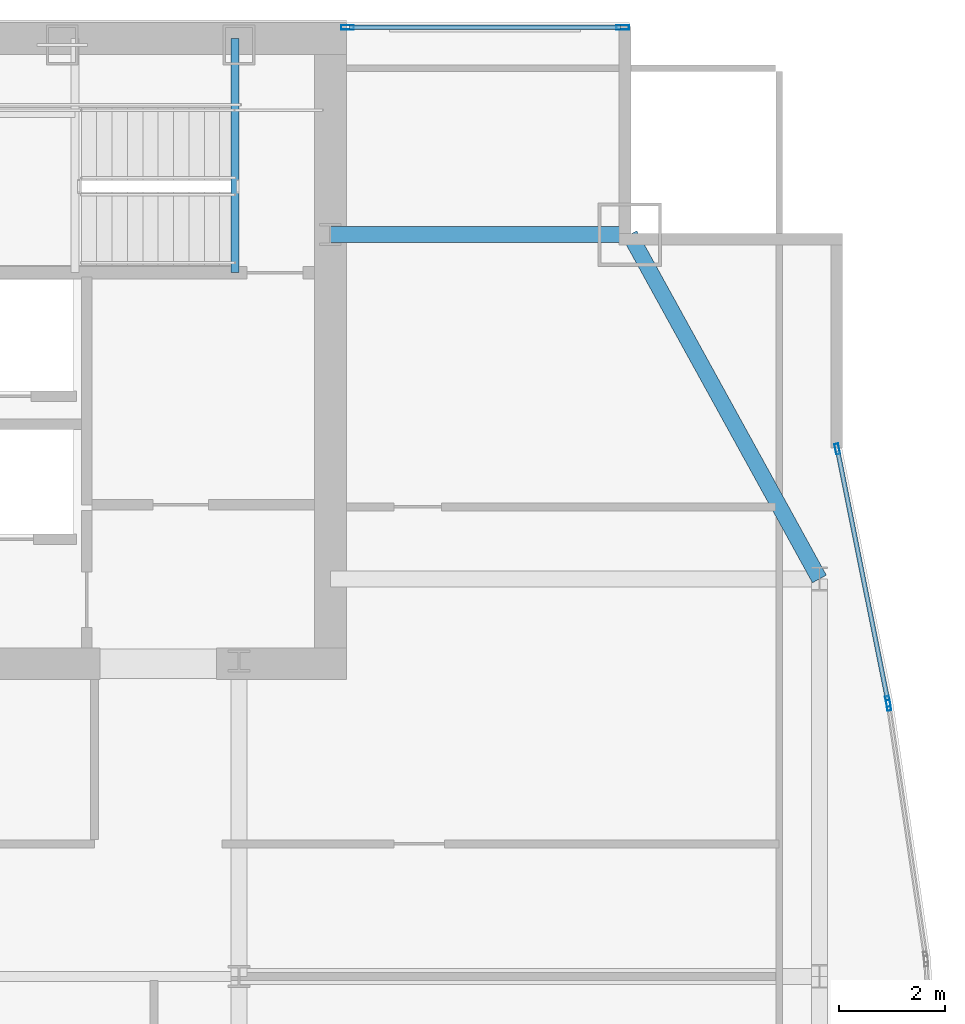
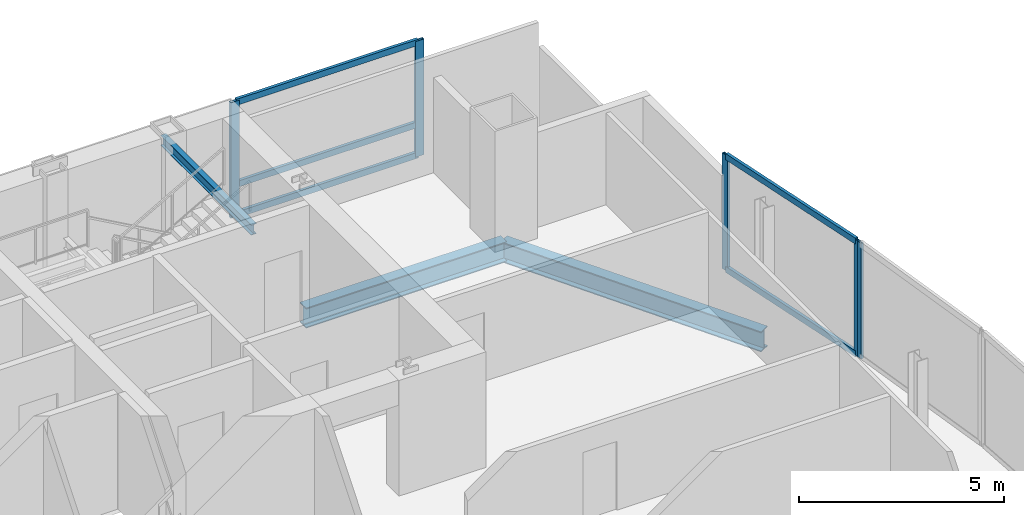
# One storey, part 23 of 30: 10 members, 3 beams, 3 elements without a shape of their own.
"""IFC4 building model written with IfcOpenShell, lengths in metres."""

from ifc_helpers import new_model, si_unit, direction, frame, origin, origin_2d, place, context, subcontext, project, spatial, hollow_rectangle, i_section, extrude, material, material_profile, profile_set, type_object, element, aggregate, save


model = new_model("IFC4")

# Units and contexts
model_context = context("Model", 3, precision=1e-05, world=origin(), true_north=direction((0.0, 1.0)))
body_context = subcontext(model_context, "Body", "Model", "MODEL_VIEW")
ifc_project = project(units=[si_unit("LENGTHUNIT", "METRE"), si_unit("AREAUNIT", "SQUARE_METRE"), si_unit("VOLUMEUNIT", "CUBIC_METRE"), si_unit("PLANEANGLEUNIT", "RADIAN"), si_unit("MASSUNIT", "GRAM", prefix="KILO")], contexts=[model_context])

# Site, building, storey
site_placement = place(None, origin())
site = spatial("IfcSite", under=ifc_project, at=site_placement, CompositionType="ELEMENT")
building_placement = place(site_placement, origin())
building = spatial("IfcBuilding", under=site, at=building_placement, Name="Khoronbel Lancet Exchange", CompositionType="ELEMENT")
storey_placement = place(building_placement, frame((0.0, 0.0, 206.60009765625)))
storey = spatial("IfcBuildingStorey", under=building, at=storey_placement, Name="L52", CompositionType="ELEMENT", Elevation=206.60009765625)

# Beams
ifc_material_1 = material(Name="Steel S355", Category="steel")
ifc_material_profile_1 = material_profile(ifc_material_1, i_section(OverallWidth=0.14990234375, OverallDepth=0.300048828125, WebThickness=0.007080078125, FlangeThickness=0.0107421875, at=origin_2d()), Name="IPE 300")
ifc_profile_set_1 = profile_set([ifc_material_profile_1], Name="Steel S355")
beam_type_1 = type_object("IfcBeamType", Name="BM-BJ8", PredefinedType="JOIST", material=ifc_profile_set_1)
beam_1_placement = place(storey_placement, frame((54.60009765625, 48.97998046875, 3.159912109375), z_axis=(0.0, 1.0, 0.0), x_axis=(-1.0, 0.0, 0.0)))
element("IfcBeam", 1, at=beam_1_placement, inside=storey, type_object=beam_type_1, Name="Level L52 stair ST2 upper-flight arrival trimmer beam", PredefinedType="JOIST", context=body_context, shape_type="SweptSolid", body=[
    extrude(i_section(OverallWidth=0.14990234375, OverallDepth=0.300048828125, WebThickness=0.007080078125, FlangeThickness=0.0107421875, at=origin_2d()), origin(), (0.0, 0.0, 1.0), 4.419921875),
])
ifc_material_profile_2 = material_profile(ifc_material_1, i_section(OverallWidth=0.300048828125, OverallDepth=0.60009765625, WebThickness=0.015380859375, FlangeThickness=0.030029296875, at=origin_2d()), Name="HEB 600")
ifc_profile_set_2 = profile_set([ifc_material_profile_2], Name="Steel S355")
beam_type_2 = type_object("IfcBeamType", Name="BM-BSP2", PredefinedType="SPANDREL", material=ifc_profile_set_2)
beam_2_placement = place(storey_placement, frame((65.6298828125, 43.199951171875, -0.460205078125), z_axis=(-0.482418808117, 0.875940690672, 0.0), x_axis=(-0.875940690672, -0.482418808117, 0.0)))
element("IfcBeam", 2, at=beam_2_placement, inside=storey, type_object=beam_type_2, Name="Level L52 perimeter spandrel beam SP15", PredefinedType="SPANDREL", context=body_context, shape_type="SweptSolid", body=[
    extrude(i_section(OverallWidth=0.300048828125, OverallDepth=0.60009765625, WebThickness=0.015380859375, FlangeThickness=0.030029296875, at=origin_2d()), origin(), (0.0, 0.0, 1.0), 7.420654296875),
])
beam_3_placement = place(storey_placement, frame((62.050048828125, 49.699951171875, -0.460205078125), z_axis=(-1.0, 0.0, 0.0), x_axis=(0.0, -1.0, 0.0)))
element("IfcBeam", 3, at=beam_3_placement, inside=storey, type_object=beam_type_2, Name="Level L52 north flank tie spandrel SP23", PredefinedType="SPANDREL", context=body_context, shape_type="SweptSolid", body=[
    extrude(i_section(OverallWidth=0.300048828125, OverallDepth=0.60009765625, WebThickness=0.015380859375, FlangeThickness=0.030029296875, at=origin_2d()), origin(), (0.0, 0.0, 1.0), 5.650146484375),
])

# Curtain wall, members
ifc_material_2 = material(Name="Low-E Solar Control Insulating Glass", Category="glass")
curtain_wall_type_1 = type_object("IfcCurtainWallType", Name="CW-3", PredefinedType="NOTDEFINED", material=ifc_material_2)
curtain_wall_1_placement = place(storey_placement, origin())
curtain_wall_1 = element("IfcCurtainWall", 4, at=curtain_wall_1_placement, inside=storey, type_object=curtain_wall_type_1, Name="Unitised curtain wall CW-L52-NEFLK", PredefinedType="NOTDEFINED")
ifc_material_3 = material(Name="Bronze-Anodised Aluminium 6063-T6", Category="aluminium")
ifc_material_profile_3 = material_profile(ifc_material_3, hollow_rectangle(XDim=0.0849609375, YDim=0.239990234375, WallThickness=0.006103515625, at=origin_2d()), Name="ALU MULLION 85x240")
ifc_profile_set_3 = profile_set([ifc_material_profile_3], Name="Bronze-Anodised Aluminium 6063-T6")
member_type_1 = type_object("IfcMemberType", Name="MEM-CWM1", PredefinedType="MULLION", material=ifc_profile_set_3)
member_1_placement = place(storey_placement, frame((61.91748046875, 53.610107421875, 0.0), z_axis=(0.0, 0.0, 1.0), x_axis=(0.0, -1.0, 0.0)))
member_1 = element("IfcMember", 5, at=member_1_placement, type_object=member_type_1, Name="CW3 mullion 1", PredefinedType="MULLION", context=body_context, shape_type="SweptSolid", body=[
    extrude(hollow_rectangle(XDim=0.0849609375, YDim=0.239990234375, WallThickness=0.006103515625, at=origin_2d()), origin(), (0.0, 0.0, 1.0), 3.43994140625),
])
member_2_placement = place(storey_placement, frame((56.722412109375, 53.610107421875, 0.0), z_axis=(0.0, 0.0, 1.0), x_axis=(0.0, -1.0, 0.0)))
member_2 = element("IfcMember", 6, at=member_2_placement, type_object=member_type_1, Name="CW3 mullion 2", PredefinedType="MULLION", context=body_context, shape_type="SweptSolid", body=[
    extrude(hollow_rectangle(XDim=0.0849609375, YDim=0.239990234375, WallThickness=0.006103515625, at=origin_2d()), origin(), (0.0, 0.0, 1.0), 3.43994140625),
])

curtain_wall_type_2 = type_object("IfcCurtainWallType", Name="CW-4", PredefinedType="NOTDEFINED", material=ifc_material_2)
curtain_wall_2_placement = place(storey_placement, origin())
curtain_wall_2 = element("IfcCurtainWall", 7, at=curtain_wall_2_placement, inside=storey, type_object=curtain_wall_type_2, Name="Unitised curtain wall CW-L52-E17", PredefinedType="NOTDEFINED")
ifc_material_profile_4 = material_profile(ifc_material_3, hollow_rectangle(XDim=0.074951171875, YDim=0.199951171875, WallThickness=0.0048828125, at=origin_2d()), Name="ALU MULLION 75x200")
ifc_profile_set_4 = profile_set([ifc_material_profile_4], Name="Bronze-Anodised Aluminium 6063-T6")
member_type_2 = type_object("IfcMemberType", Name="MEM-CWM2", PredefinedType="MULLION", material=ifc_profile_set_4)
member_3_placement = place(storey_placement, frame((65.96728515625, 45.654296875, 0.0), z_axis=(0.0, 0.0, 1.0), x_axis=(0.980454248694, 0.196747214001, 0.0)))
member_3 = element("IfcMember", 8, at=member_3_placement, type_object=member_type_2, Name="CW4 mullion 1", PredefinedType="MULLION", context=body_context, shape_type="SweptSolid", body=[
    extrude(hollow_rectangle(XDim=0.074951171875, YDim=0.199951171875, WallThickness=0.0048828125, at=origin_2d()), origin(), (0.0, 0.0, 1.0), 3.43994140625),
])
member_4_placement = place(storey_placement, frame((66.923828125, 40.88818359375, 0.0), z_axis=(0.0, 0.0, 1.0), x_axis=(0.980454248694, 0.196747214001, 0.0)))
member_4 = element("IfcMember", 9, at=member_4_placement, type_object=member_type_2, Name="CW4 mullion 2", PredefinedType="MULLION", context=body_context, shape_type="SweptSolid", body=[
    extrude(hollow_rectangle(XDim=0.074951171875, YDim=0.199951171875, WallThickness=0.0048828125, at=origin_2d()), origin(), (0.0, 0.0, 1.0), 3.43994140625),
])

# Curtain wall, member
curtain_wall_3_placement = place(storey_placement, origin())
curtain_wall_3 = element("IfcCurtainWall", 10, at=curtain_wall_3_placement, inside=storey, type_object=curtain_wall_type_2, Name="Unitised curtain wall CW-L52-E18", PredefinedType="NOTDEFINED")
member_5_placement = place(storey_placement, frame((66.936767578125, 40.814208984375, 0.0), z_axis=(0.0, 0.0, 1.0), x_axis=(0.989378391213, 0.145362990476, 0.0)))
member_5 = element("IfcMember", 11, at=member_5_placement, type_object=member_type_2, Name="CW4 mullion 1", PredefinedType="MULLION", context=body_context, shape_type="SweptSolid", body=[
    extrude(hollow_rectangle(XDim=0.074951171875, YDim=0.199951171875, WallThickness=0.0048828125, at=origin_2d()), origin(), (0.0, 0.0, 1.0), 3.43994140625),
])
aggregate(curtain_wall_3, [member_5])

# Member
ifc_material_profile_5 = material_profile(ifc_material_3, hollow_rectangle(XDim=0.0849609375, YDim=0.179931640625, WallThickness=0.0048828125, at=origin_2d()), Name="ALU TRANSOM 85x180")
ifc_profile_set_5 = profile_set([ifc_material_profile_5], Name="Bronze-Anodised Aluminium 6063-T6")
member_type_3 = type_object("IfcMemberType", Name="MEM-CWT1", PredefinedType="USERDEFINED", material=ifc_profile_set_5)
member_6_placement = place(storey_placement, frame((61.875, 53.610107421875, 0.04248046875), z_axis=(-1.0, 0.0, 0.0), x_axis=(0.0, -1.0, 0.0)))
member_6 = element("IfcMember", 12, at=member_6_placement, type_object=member_type_3, Name="CW3 transom 1.1", ObjectType="TRANSOM", PredefinedType="USERDEFINED", context=body_context, shape_type="SweptSolid", body=[
    extrude(hollow_rectangle(XDim=0.0849609375, YDim=0.179931640625, WallThickness=0.0048828125, at=origin_2d()), origin(), (0.0, 0.0, 1.0), 5.110107421875),
])

member_7_placement = place(storey_placement, frame((61.875, 53.610107421875, 0.949951171875), z_axis=(-1.0, 0.0, 0.0), x_axis=(0.0, -1.0, 0.0)))
member_7 = element("IfcMember", 13, at=member_7_placement, type_object=member_type_3, Name="CW3 transom 1.2", ObjectType="TRANSOM", PredefinedType="USERDEFINED", context=body_context, shape_type="SweptSolid", body=[
    extrude(hollow_rectangle(XDim=0.0849609375, YDim=0.179931640625, WallThickness=0.0048828125, at=origin_2d()), origin(), (0.0, 0.0, 1.0), 5.110107421875),
])

member_8_placement = place(storey_placement, frame((61.875, 53.610107421875, 3.3974609375), z_axis=(-1.0, 0.0, 0.0), x_axis=(0.0, -1.0, 0.0)))
member_8 = element("IfcMember", 14, at=member_8_placement, type_object=member_type_3, Name="CW3 transom 1.3", ObjectType="TRANSOM", PredefinedType="USERDEFINED", context=body_context, shape_type="SweptSolid", body=[
    extrude(hollow_rectangle(XDim=0.0849609375, YDim=0.179931640625, WallThickness=0.0048828125, at=origin_2d()), origin(), (0.0, 0.0, 1.0), 5.110107421875),
])

aggregate(curtain_wall_1, [member_1, member_2, member_6, member_7, member_8])

member_9_placement = place(storey_placement, frame((65.974853515625, 45.61767578125, 0.04248046875), z_axis=(0.196734065826, -0.98045688704, 0.0), x_axis=(0.98045688704, 0.196734065826, 0.0)))
member_9 = element("IfcMember", 15, at=member_9_placement, type_object=member_type_3, Name="CW4 transom 1.1", ObjectType="TRANSOM", PredefinedType="USERDEFINED", context=body_context, shape_type="SweptSolid", body=[
    extrude(hollow_rectangle(XDim=0.0849609375, YDim=0.179931640625, WallThickness=0.0048828125, at=origin_2d()), origin(), (0.0, 0.0, 1.0), 4.786376953125),
])

member_10_placement = place(storey_placement, frame((65.974853515625, 45.61767578125, 3.3974609375), z_axis=(0.196734065826, -0.98045688704, 0.0), x_axis=(0.98045688704, 0.196734065826, 0.0)))
member_10 = element("IfcMember", 16, at=member_10_placement, type_object=member_type_3, Name="CW4 transom 1.2", ObjectType="TRANSOM", PredefinedType="USERDEFINED", context=body_context, shape_type="SweptSolid", body=[
    extrude(hollow_rectangle(XDim=0.0849609375, YDim=0.179931640625, WallThickness=0.0048828125, at=origin_2d()), origin(), (0.0, 0.0, 1.0), 4.786376953125),
])

aggregate(curtain_wall_2, [member_3, member_4, member_9, member_10])

save(model, "model.ifc")
